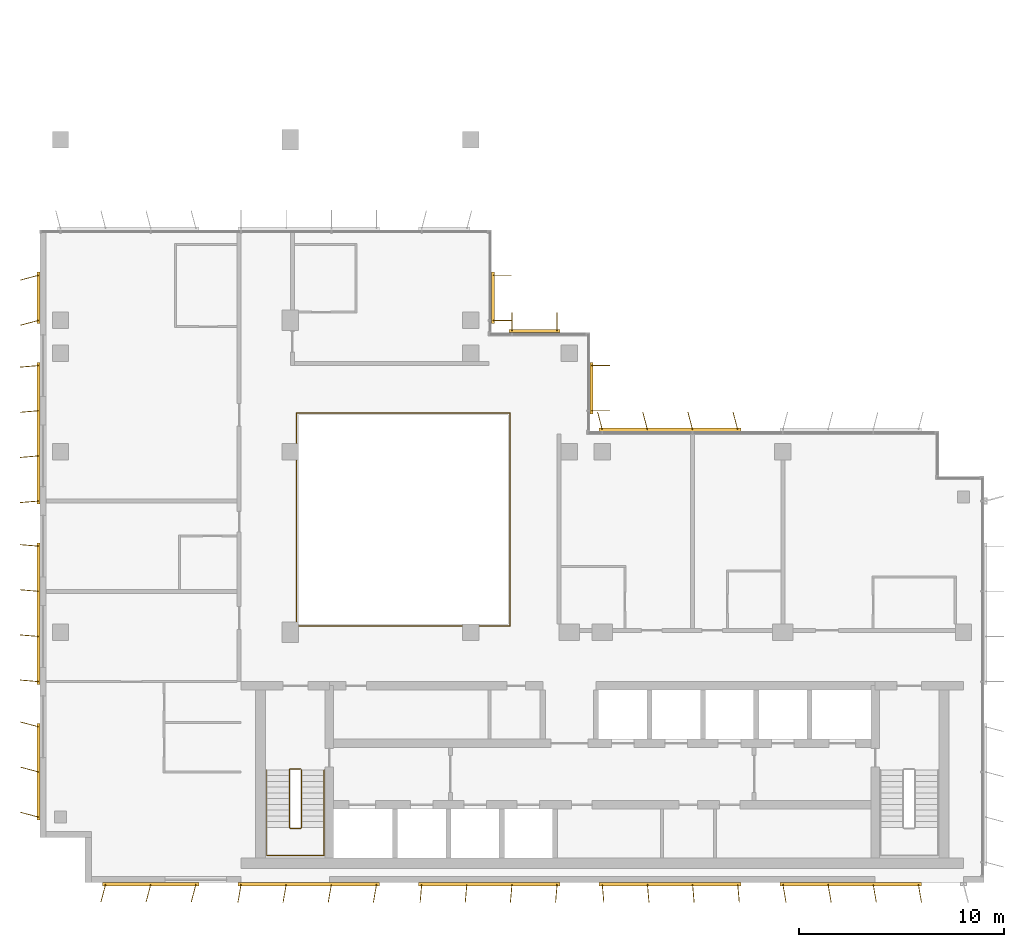
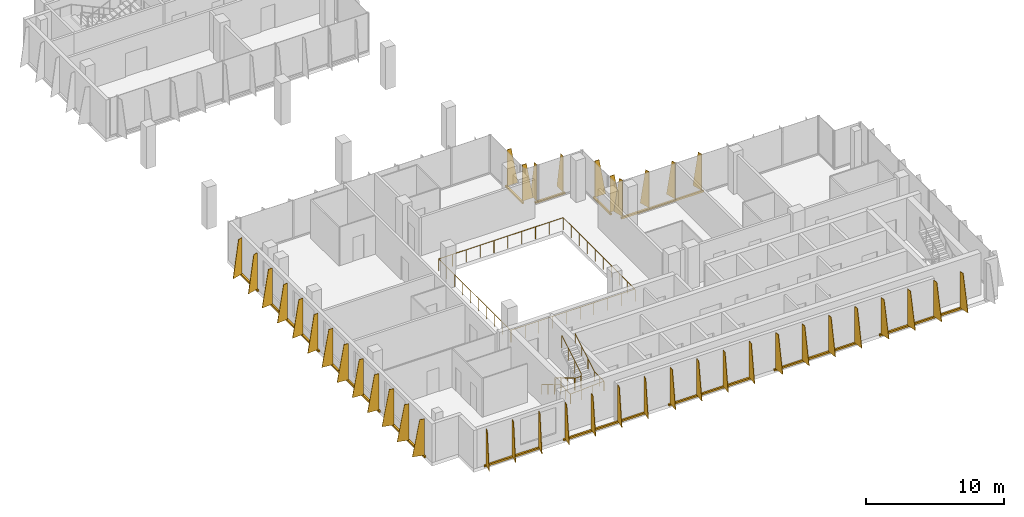
# One storey, part 13 of 14: 13 shading devices, 3 railings.
"""IFC4 building model written with IfcOpenShell, lengths in metres."""

from ifc_helpers import new_model, si_unit, direction, frame, origin, origin_2d, place, context, subcontext, project, spatial, polyline, rectangle, circle, outline, extrude, source, transform, mapped, material, layer, layer_set, type_object, element, save


model = new_model("IFC4")

# Units and contexts
model_context = context("Model", 3, precision=1e-05, world=origin(), true_north=direction((0.0, 1.0)))
body_context = subcontext(model_context, "Body", "Model", "MODEL_VIEW")
ifc_project = project(units=[si_unit("LENGTHUNIT", "METRE"), si_unit("AREAUNIT", "SQUARE_METRE"), si_unit("VOLUMEUNIT", "CUBIC_METRE"), si_unit("PLANEANGLEUNIT", "RADIAN"), si_unit("MASSUNIT", "GRAM", prefix="KILO")], contexts=[model_context])

# Site, building, storey
site_placement = place(None, origin())
site = spatial("IfcSite", under=ifc_project, at=site_placement, CompositionType="ELEMENT")
building_placement = place(site_placement, origin())
building = spatial("IfcBuilding", under=site, at=building_placement, Name="Kemantara Hotel Tower", CompositionType="ELEMENT")
storey_placement = place(building_placement, frame((0.0, 0.0, 245.0)))
storey = spatial("IfcBuildingStorey", under=building, at=storey_placement, Name="L61", CompositionType="ELEMENT", Elevation=245.0)

# Railings
ifc_material_1 = material(Name="Stainless steel and laminated glass balustrade", Category="steel")
railing_type_1 = type_object("IfcRailingType", Name="ATRIUM GUARD 1100", PredefinedType="GUARDRAIL", material=ifc_material_1)
railing_1_placement = place(storey_placement, frame((12.56005859375, 12.5, 0.0)))
element("IfcRailing", 1, at=railing_1_placement, inside=storey, type_object=railing_type_1, Name="ATRIUM GUARD L61", PredefinedType="GUARDRAIL", context=body_context, shape_type="SweptSolid", body=[
    extrude(circle(Radius=0.02490234375, at=origin_2d()), frame((0.0, 0.0, 1.0751953125), z_axis=(1.0, 0.0, 0.0), x_axis=(0.0, 1.0, 0.0)), (0.0, 0.0, 1.0), 10.33984375),
    extrude(circle(Radius=0.02490234375, at=origin_2d()), frame((10.33984375, 0.0, 1.0751953125), z_axis=(0.0, 1.0, 0.0), x_axis=(-1.0, 0.0, 0.0)), (0.0, 0.0, 1.0), 10.39990234375),
    extrude(circle(Radius=0.02490234375, at=origin_2d()), frame((10.33984375, 10.39990234375, 1.0751953125), z_axis=(-1.0, 0.0, 0.0), x_axis=(0.0, -1.0, 0.0)), (0.0, 0.0, 1.0), 10.39990234375),
    extrude(circle(Radius=0.02490234375, at=origin_2d()), frame((-0.06005859375, 10.39990234375, 1.0751953125), z_axis=(0.0, -1.0, 0.0), x_axis=(1.0, 0.0, 0.0)), (0.0, 0.0, 1.0), 10.39990234375),
    extrude(circle(Radius=0.02001953125, at=origin_2d()), origin(), (0.0, 0.0, 1.0), 1.050048828125),
    extrude(circle(Radius=0.02001953125, at=origin_2d()), frame((1.14892578125, 0.0, 0.0)), (0.0, 0.0, 1.0), 1.050048828125),
    extrude(circle(Radius=0.02001953125, at=origin_2d()), frame((2.2978515625, 0.0, 0.0)), (0.0, 0.0, 1.0), 1.050048828125),
    extrude(circle(Radius=0.02001953125, at=origin_2d()), frame((3.446533203125, 0.0, 0.0)), (0.0, 0.0, 1.0), 1.050048828125),
    extrude(circle(Radius=0.02001953125, at=origin_2d()), frame((4.595458984375, 0.0, 0.0)), (0.0, 0.0, 1.0), 1.050048828125),
    extrude(circle(Radius=0.02001953125, at=origin_2d()), frame((5.744384765625, 0.0, 0.0)), (0.0, 0.0, 1.0), 1.050048828125),
    extrude(circle(Radius=0.02001953125, at=origin_2d()), frame((6.893310546875, 0.0, 0.0)), (0.0, 0.0, 1.0), 1.050048828125),
    extrude(circle(Radius=0.02001953125, at=origin_2d()), frame((8.0419921875, 0.0, 0.0)), (0.0, 0.0, 1.0), 1.050048828125),
    extrude(circle(Radius=0.02001953125, at=origin_2d()), frame((9.19091796875, 0.0, 0.0)), (0.0, 0.0, 1.0), 1.050048828125),
    extrude(circle(Radius=0.02001953125, at=origin_2d()), frame((10.33984375, 0.0, 0.0)), (0.0, 0.0, 1.0), 1.050048828125),
    extrude(circle(Radius=0.02001953125, at=origin_2d()), frame((10.33984375, 1.155517578125, 0.0)), (0.0, 0.0, 1.0), 1.050048828125),
    extrude(circle(Radius=0.02001953125, at=origin_2d()), frame((10.33984375, 2.31103515625, 0.0)), (0.0, 0.0, 1.0), 1.050048828125),
    extrude(circle(Radius=0.02001953125, at=origin_2d()), frame((10.33984375, 3.466552734375, 0.0)), (0.0, 0.0, 1.0), 1.050048828125),
    extrude(circle(Radius=0.02001953125, at=origin_2d()), frame((10.33984375, 4.6220703125, 0.0)), (0.0, 0.0, 1.0), 1.050048828125),
    extrude(circle(Radius=0.02001953125, at=origin_2d()), frame((10.33984375, 5.77783203125, 0.0)), (0.0, 0.0, 1.0), 1.050048828125),
    extrude(circle(Radius=0.02001953125, at=origin_2d()), frame((10.33984375, 6.933349609375, 0.0)), (0.0, 0.0, 1.0), 1.050048828125),
    extrude(circle(Radius=0.02001953125, at=origin_2d()), frame((10.33984375, 8.0888671875, 0.0)), (0.0, 0.0, 1.0), 1.050048828125),
    extrude(circle(Radius=0.02001953125, at=origin_2d()), frame((10.33984375, 9.244384765625, 0.0)), (0.0, 0.0, 1.0), 1.050048828125),
    extrude(circle(Radius=0.02001953125, at=origin_2d()), frame((10.33984375, 10.39990234375, 0.0)), (0.0, 0.0, 1.0), 1.050048828125),
    extrude(circle(Radius=0.02001953125, at=origin_2d()), frame((9.184326171875, 10.39990234375, 0.0)), (0.0, 0.0, 1.0), 1.050048828125),
    extrude(circle(Radius=0.02001953125, at=origin_2d()), frame((8.02880859375, 10.39990234375, 0.0)), (0.0, 0.0, 1.0), 1.050048828125),
    extrude(circle(Radius=0.02001953125, at=origin_2d()), frame((6.873291015625, 10.39990234375, 0.0)), (0.0, 0.0, 1.0), 1.050048828125),
    extrude(circle(Radius=0.02001953125, at=origin_2d()), frame((5.7177734375, 10.39990234375, 0.0)), (0.0, 0.0, 1.0), 1.050048828125),
    extrude(circle(Radius=0.02001953125, at=origin_2d()), frame((4.56201171875, 10.39990234375, 0.0)), (0.0, 0.0, 1.0), 1.050048828125),
    extrude(circle(Radius=0.02001953125, at=origin_2d()), frame((3.406494140625, 10.39990234375, 0.0)), (0.0, 0.0, 1.0), 1.050048828125),
    extrude(circle(Radius=0.02001953125, at=origin_2d()), frame((2.2509765625, 10.39990234375, 0.0)), (0.0, 0.0, 1.0), 1.050048828125),
    extrude(circle(Radius=0.02001953125, at=origin_2d()), frame((1.095458984375, 10.39990234375, 0.0)), (0.0, 0.0, 1.0), 1.050048828125),
    extrude(circle(Radius=0.02001953125, at=origin_2d()), frame((-0.06005859375, 10.39990234375, 0.0)), (0.0, 0.0, 1.0), 1.050048828125),
    extrude(circle(Radius=0.02001953125, at=origin_2d()), frame((-0.06005859375, 9.244384765625, 0.0)), (0.0, 0.0, 1.0), 1.050048828125),
    extrude(circle(Radius=0.02001953125, at=origin_2d()), frame((-0.06005859375, 8.0888671875, 0.0)), (0.0, 0.0, 1.0), 1.050048828125),
    extrude(circle(Radius=0.02001953125, at=origin_2d()), frame((-0.06005859375, 6.933349609375, 0.0)), (0.0, 0.0, 1.0), 1.050048828125),
    extrude(circle(Radius=0.02001953125, at=origin_2d()), frame((-0.06005859375, 5.77783203125, 0.0)), (0.0, 0.0, 1.0), 1.050048828125),
    extrude(circle(Radius=0.02001953125, at=origin_2d()), frame((-0.06005859375, 4.6220703125, 0.0)), (0.0, 0.0, 1.0), 1.050048828125),
    extrude(circle(Radius=0.02001953125, at=origin_2d()), frame((-0.06005859375, 3.466552734375, 0.0)), (0.0, 0.0, 1.0), 1.050048828125),
    extrude(circle(Radius=0.02001953125, at=origin_2d()), frame((-0.06005859375, 2.31103515625, 0.0)), (0.0, 0.0, 1.0), 1.050048828125),
    extrude(circle(Radius=0.02001953125, at=origin_2d()), frame((-0.06005859375, 1.155517578125, 0.0)), (0.0, 0.0, 1.0), 1.050048828125),
    extrude(circle(Radius=0.02001953125, at=origin_2d()), frame((-0.06005859375, 0.0, 0.0)), (0.0, 0.0, 1.0), 1.050048828125),
])
ifc_material_2 = material(Name="Stainless steel balustrade", Category="steel")
railing_type_2 = type_object("IfcRailingType", Name="Stair guard 1100 mm", PredefinedType="GUARDRAIL", material=ifc_material_2)
railing_2_placement = place(storey_placement, frame((12.75, 5.5, 3.699951171875)))
element("IfcRailing", 2, at=railing_2_placement, inside=storey, type_object=railing_type_2, Name="L61 ST1 stair guard 1", PredefinedType="GUARDRAIL", context=body_context, shape_type="SweptSolid", body=[
    extrude(circle(Radius=0.02392578125, at=origin_2d()), frame((0.0, 0.0, 1.076171875), z_axis=(0.0, -0.857242210791, -0.514913383045), x_axis=(1.0, 0.0, 0.0)), (0.0, 0.0, 1.0), 3.266357421875),
    extrude(circle(Radius=0.02392578125, at=origin_2d()), frame((0.0, -2.800048828125, -0.60595703125), z_axis=(-0.274582412415, -0.274582412415, -0.921525364591), x_axis=(0.707106781187, -0.707106781187, 0.0)), (0.0, 0.0, 1.0), 0.182373046875),
    extrude(circle(Radius=0.02392578125, at=origin_2d()), frame((-0.050048828125, -2.85009765625, -0.77392578125), z_axis=(-1.0, 0.0, 0.0), x_axis=(0.0, -1.0, 0.0)), (0.0, 0.0, 1.0), 0.5),
    extrude(circle(Radius=0.02392578125, at=origin_2d()), frame((-0.550048828125, -2.85009765625, -0.77392578125), z_axis=(-0.707106781187, 0.707106781187, 0.0), x_axis=(-0.707106781187, -0.707106781187, 0.0)), (0.0, 0.0, 1.0), 0.07080078125),
    extrude(circle(Radius=0.02392578125, at=origin_2d()), frame((-0.60009765625, -2.800048828125, -0.77392578125), z_axis=(0.0, 0.857242210791, -0.514913383045), x_axis=(-1.0, 0.0, 0.0)), (0.0, 0.0, 1.0), 3.266357421875),
    extrude(circle(Radius=0.02392578125, at=origin_2d()), frame((-0.60009765625, 0.0, -2.45556640625), z_axis=(0.274243871929, 0.274243871929, -0.92172696468), x_axis=(-0.707106781187, 0.707106781187, 0.0)), (0.0, 0.0, 1.0), 0.1826171875),
    extrude(circle(Radius=0.02392578125, at=origin_2d()), frame((-0.550048828125, 0.050048828125, -2.6240234375), z_axis=(1.0, 0.0, 0.0), x_axis=(0.0, 1.0, 0.0)), (0.0, 0.0, 1.0), 0.5),
    extrude(circle(Radius=0.02099609375, at=origin_2d()), origin(), (0.0, 0.0, 1.0), 1.052001953125),
    extrude(circle(Radius=0.02099609375, at=origin_2d()), frame((0.0, -0.933349609375, -0.560546875)), (0.0, 0.0, 1.0), 1.052001953125),
    extrude(circle(Radius=0.02099609375, at=origin_2d()), frame((0.0, -1.86669921875, -1.121337890625)), (0.0, 0.0, 1.0), 1.052001953125),
    extrude(circle(Radius=0.02099609375, at=origin_2d()), frame((0.0, -2.800048828125, -1.681884765625)), (0.0, 0.0, 1.0), 1.052001953125),
    extrude(circle(Radius=0.02099609375, at=origin_2d()), frame((-0.050048828125, -2.85009765625, -1.849853515625)), (0.0, 0.0, 1.0), 1.052001953125),
    extrude(circle(Radius=0.02099609375, at=origin_2d()), frame((-0.550048828125, -2.85009765625, -1.849853515625)), (0.0, 0.0, 1.0), 1.052001953125),
    extrude(circle(Radius=0.02099609375, at=origin_2d()), frame((-0.60009765625, -2.800048828125, -1.849853515625)), (0.0, 0.0, 1.0), 1.052001953125),
    extrude(circle(Radius=0.02099609375, at=origin_2d()), frame((-0.60009765625, -1.86669921875, -2.410400390625)), (0.0, 0.0, 1.0), 1.052001953125),
    extrude(circle(Radius=0.02099609375, at=origin_2d()), frame((-0.60009765625, -0.933349609375, -2.97119140625)), (0.0, 0.0, 1.0), 1.052001953125),
    extrude(circle(Radius=0.02099609375, at=origin_2d()), frame((-0.60009765625, 0.0, -3.53173828125)), (0.0, 0.0, 1.0), 1.052001953125),
    extrude(circle(Radius=0.02099609375, at=origin_2d()), frame((-0.550048828125, 0.050048828125, -3.699951171875)), (0.0, 0.0, 1.0), 1.052001953125),
    extrude(circle(Radius=0.02099609375, at=origin_2d()), frame((-0.050048828125, 0.050048828125, -3.699951171875)), (0.0, 0.0, 1.0), 1.052001953125),
])
railing_type_3 = type_object("IfcRailingType", Name="Stair handrail 900 mm", PredefinedType="HANDRAIL", material=ifc_material_2)
railing_3_placement = place(storey_placement, frame((11.050048828125, 5.5, 0.168212890625)))
element("IfcRailing", 3, at=railing_3_placement, inside=storey, type_object=railing_type_3, Name="L61 ST1 stair handrail 1", PredefinedType="HANDRAIL", context=body_context, shape_type="SweptSolid", body=[
    extrude(circle(Radius=0.02392578125, at=origin_2d()), frame((0.0, 0.0, 0.8759765625), z_axis=(0.0, -0.857242210791, 0.514913383045), x_axis=(1.0, 0.0, 0.0)), (0.0, 0.0, 1.0), 3.266357421875),
    extrude(circle(Radius=0.02392578125, at=origin_2d()), frame((0.0, -2.800048828125, 2.5576171875), z_axis=(0.0, -1.0, 0.0), x_axis=(1.0, 0.0, 0.0)), (0.0, 0.0, 1.0), 1.3798828125),
    extrude(circle(Radius=0.02392578125, at=origin_2d()), frame((0.0, -4.179931640625, 2.5576171875), z_axis=(0.998205573864, 0.0, 0.059880149518), x_axis=(0.0, 1.0, 0.0)), (0.0, 0.0, 1.0), 2.80517578125),
    extrude(circle(Radius=0.02392578125, at=origin_2d()), frame((2.800048828125, -4.179931640625, 2.7255859375), z_axis=(0.0, 1.0, 0.0), x_axis=(-1.0, 0.0, 0.0)), (0.0, 0.0, 1.0), 1.3798828125),
    extrude(circle(Radius=0.02392578125, at=origin_2d()), frame((2.800048828125, -2.800048828125, 2.7255859375), z_axis=(0.0, 0.857242210791, 0.514913383045), x_axis=(-1.0, 0.0, 0.0)), (0.0, 0.0, 1.0), 3.266357421875),
    extrude(circle(Radius=0.02099609375, at=origin_2d()), origin(), (0.0, 0.0, 1.0), 0.851806640625),
    extrude(circle(Radius=0.02099609375, at=origin_2d()), frame((0.0, -0.933349609375, 0.560546875)), (0.0, 0.0, 1.0), 0.851806640625),
    extrude(circle(Radius=0.02099609375, at=origin_2d()), frame((0.0, -1.86669921875, 1.121337890625)), (0.0, 0.0, 1.0), 0.851806640625),
    extrude(circle(Radius=0.02099609375, at=origin_2d()), frame((0.0, -2.800048828125, 1.681884765625)), (0.0, 0.0, 1.0), 0.851806640625),
    extrude(circle(Radius=0.02099609375, at=origin_2d()), frame((0.0, -3.489990234375, 1.681884765625)), (0.0, 0.0, 1.0), 0.851806640625),
    extrude(circle(Radius=0.02099609375, at=origin_2d()), frame((0.0, -4.179931640625, 1.681884765625)), (0.0, 0.0, 1.0), 0.851806640625),
    extrude(circle(Radius=0.02099609375, at=origin_2d()), frame((0.933349609375, -4.179931640625, 1.73779296875)), (0.0, 0.0, 1.0), 0.851806640625),
    extrude(circle(Radius=0.02099609375, at=origin_2d()), frame((1.86669921875, -4.179931640625, 1.7939453125)), (0.0, 0.0, 1.0), 0.851806640625),
    extrude(circle(Radius=0.02099609375, at=origin_2d()), frame((2.800048828125, -4.179931640625, 1.849853515625)), (0.0, 0.0, 1.0), 0.851806640625),
    extrude(circle(Radius=0.02099609375, at=origin_2d()), frame((2.800048828125, -3.489990234375, 1.849853515625)), (0.0, 0.0, 1.0), 0.851806640625),
    extrude(circle(Radius=0.02099609375, at=origin_2d()), frame((2.800048828125, -2.800048828125, 1.849853515625)), (0.0, 0.0, 1.0), 0.851806640625),
    extrude(circle(Radius=0.02099609375, at=origin_2d()), frame((2.800048828125, -1.86669921875, 2.410400390625)), (0.0, 0.0, 1.0), 0.851806640625),
    extrude(circle(Radius=0.02099609375, at=origin_2d()), frame((2.800048828125, -0.933349609375, 2.97119140625)), (0.0, 0.0, 1.0), 0.851806640625),
    extrude(circle(Radius=0.02099609375, at=origin_2d()), frame((2.800048828125, 0.0, 3.53173828125)), (0.0, 0.0, 1.0), 0.851806640625),
])

# Shading devices
ifc_material_3 = material(Name="Perforated aluminium plate 4 mm bronze anodised", Category="aluminium")
ifc_layer_1 = layer(ifc_material_3, 0.0400390625)
ifc_layer_set_1 = layer_set([ifc_layer_1], Name="Perforated aluminium plate 4 mm bronze anodised")
shading_device_type_1 = type_object("IfcShadingDeviceType", Name="SCREEN FIN CASSETTE, 3 BLADES AT -15.0 DEG, 3200 HIGH", PredefinedType="USERDEFINED", material=ifc_layer_set_1)
shared_shape_1 = source(origin(), body_context, "Body", "SweptSolid", [
    extrude(rectangle(XDim=4.699951171875, YDim=0.14990234375, at=origin_2d()), frame((2.199951171875, -0.074951171875, -0.14990234375), z_axis=(0.0, 0.0, 1.0), x_axis=(1.0, 0.0, 0.0)), (0.0, 0.0, 1.0), 0.14990234375),
    extrude(outline(polyline([(0.0, 0.0), (0.89990234375, 0.0), (0.35009765625, 3.199951171875), (0.0, 3.199951171875), (0.0, 0.0)])), frame((0.019287109375, -0.080078125, 0.0), z_axis=(-0.966437683387, 0.256901156343, 0.0), x_axis=(-0.256901156343, -0.966437683387, 0.0)), (0.0, 0.0, 1.0), 0.039794921875),
    extrude(outline(polyline([(0.0, 0.0), (0.89990234375, 0.0), (0.35009765625, 3.199951171875), (0.0, 3.199951171875), (0.0, 0.0)])), frame((2.21923828125, -0.080078125, 0.0), z_axis=(-0.966437683387, 0.256901156343, 0.0), x_axis=(-0.256901156343, -0.966437683387, 0.0)), (0.0, 0.0, 1.0), 0.039794921875),
    extrude(outline(polyline([(0.0, 0.0), (0.89990234375, 0.0), (0.35009765625, 3.199951171875), (0.0, 3.199951171875), (0.0, 0.0)])), frame((4.41943359375, -0.080078125, 0.0), z_axis=(-0.966837822169, 0.255391122837, 0.0), x_axis=(-0.255391122837, -0.966837822169, 0.0)), (0.0, 0.0, 1.0), 0.0400390625),
])
for number, where, z_axis, x_axis, name in (
    (4, (0.0, 7.60009765625, 0.10009765625), (0.0, 0.0, 1.0), (0.0, -1.0, 0.0), "SCREEN FIN CASSETTE L61 T4P-R02-4"),
    (5, (3.199951171875, 0.0, 0.10009765625), (0.0, 0.0, 1.0), (1.0, 0.0, 0.0), "SCREEN FIN CASSETTE L61 T4P-R05-1"),
):
    element("IfcShadingDevice", number, at=place(storey_placement, frame(where, z_axis=z_axis, x_axis=x_axis)), inside=storey, type_object=shading_device_type_1, Name=name, ObjectType="SCREEN FIN", PredefinedType="USERDEFINED", context=body_context, shape_type="MappedRepresentation", body=[
        mapped(shared_shape_1, transform((0.0, 0.0, 0.0))),
    ])
ifc_layer_2 = layer(ifc_material_3, 0.0400390625)
ifc_layer_set_2 = layer_set([ifc_layer_2], Name="Perforated aluminium plate 4 mm bronze anodised")
shading_device_type_2 = type_object("IfcShadingDeviceType", Name="SCREEN FIN CASSETTE, 4 BLADES AT -10.0 DEG, 3200 HIGH", PredefinedType="USERDEFINED", material=ifc_layer_set_2)
shared_shape_2 = source(origin(), body_context, "Body", "SweptSolid", [
    extrude(rectangle(XDim=6.89990234375, YDim=0.14990234375, at=origin_2d()), frame((3.300048828125, -0.074951171875, -0.14990234375), z_axis=(0.0, 0.0, 1.0), x_axis=(1.0, 0.0, 0.0)), (0.0, 0.0, 1.0), 0.14990234375),
    extrude(outline(polyline([(0.0, 0.0), (0.89990234375, 0.0), (0.35009765625, 3.199951171875), (0.0, 3.199951171875), (0.0, 0.0)])), frame((0.019775390625, -0.078369140625, 0.0), z_axis=(-0.985389793052, 0.170314285219, 0.0), x_axis=(-0.170314285219, -0.985389793052, 0.0)), (0.0, 0.0, 1.0), 0.0400390625),
    extrude(outline(polyline([(0.0, 0.0), (0.89990234375, 0.0), (0.35009765625, 3.199951171875), (0.0, 3.199951171875), (0.0, 0.0)])), frame((2.2197265625, -0.078369140625, 0.0), z_axis=(-0.98521175482, 0.171341174751, 0.0), x_axis=(-0.171341174751, -0.98521175482, 0.0)), (0.0, 0.0, 1.0), 0.039794921875),
    extrude(outline(polyline([(0.0, 0.0), (0.89990234375, 0.0), (0.35009765625, 3.199951171875), (0.0, 3.199951171875), (0.0, 0.0)])), frame((4.419677734375, -0.078369140625, 0.0), z_axis=(-0.98521175482, 0.171341174751, 0.0), x_axis=(-0.171341174751, -0.98521175482, 0.0)), (0.0, 0.0, 1.0), 0.039794921875),
    extrude(outline(polyline([(0.0, 0.0), (0.89990234375, 0.0), (0.35009765625, 3.199951171875), (0.0, 3.199951171875), (0.0, 0.0)])), frame((6.61962890625, -0.078369140625, 0.0), z_axis=(-0.98521175482, 0.171341174751, 0.0), x_axis=(-0.171341174751, -0.98521175482, 0.0)), (0.0, 0.0, 1.0), 0.039794921875),
])
shading_device_1_placement = place(storey_placement, frame((9.800048828125, 0.0, 0.10009765625), z_axis=(0.0, 0.0, 1.0), x_axis=(1.0, 0.0, 0.0)))
element("IfcShadingDevice", 6, at=shading_device_1_placement, inside=storey, type_object=shading_device_type_2, Name="SCREEN FIN CASSETTE L61 T4P-R05-2", ObjectType="SCREEN FIN", PredefinedType="USERDEFINED", context=body_context, shape_type="MappedRepresentation", body=[
    mapped(shared_shape_2, transform((0.0, 0.0, 0.0))),
])
ifc_layer_3 = layer(ifc_material_3, 0.0400390625)
ifc_layer_set_3 = layer_set([ifc_layer_3], Name="Perforated aluminium plate 4 mm bronze anodised")
shading_device_type_3 = type_object("IfcShadingDeviceType", Name="SCREEN FIN CASSETTE, 4 BLADES AT -5.0 DEG, 3200 HIGH", PredefinedType="USERDEFINED", material=ifc_layer_set_3)
shared_shape_3 = source(origin(), body_context, "Body", "SweptSolid", [
    extrude(rectangle(XDim=6.89990234375, YDim=0.14990234375, at=origin_2d()), frame((3.300048828125, -0.074951171875, -0.14990234375), z_axis=(0.0, 0.0, 1.0), x_axis=(1.0, 0.0, 0.0)), (0.0, 0.0, 1.0), 0.14990234375),
    extrude(outline(polyline([(0.0, 0.0), (0.89990234375, 0.0), (0.35009765625, 3.199951171875), (0.0, 3.199951171875), (0.0, 0.0)])), frame((0.02001953125, -0.07666015625, 0.0), z_axis=(-0.996376129781, 0.085056498884, 0.0), x_axis=(-0.085056498884, -0.996376129781, 0.0)), (0.0, 0.0, 1.0), 0.040283203125),
    extrude(outline(polyline([(0.0, 0.0), (0.89990234375, 0.0), (0.35009765625, 3.199951171875), (0.0, 3.199951171875), (0.0, 0.0)])), frame((2.219970703125, -0.07666015625, 0.0), z_axis=(-0.996331773833, 0.085574508182, 0.0), x_axis=(-0.085574508182, -0.996331773833, 0.0)), (0.0, 0.0, 1.0), 0.0400390625),
    extrude(outline(polyline([(0.0, 0.0), (0.89990234375, 0.0), (0.35009765625, 3.199951171875), (0.0, 3.199951171875), (0.0, 0.0)])), frame((4.419921875, -0.07666015625, 0.0), z_axis=(-0.996331773833, 0.085574508182, 0.0), x_axis=(-0.085574508182, -0.996331773833, 0.0)), (0.0, 0.0, 1.0), 0.0400390625),
    extrude(outline(polyline([(0.0, 0.0), (0.89990234375, 0.0), (0.35009765625, 3.199951171875), (0.0, 3.199951171875), (0.0, 0.0)])), frame((6.619873046875, -0.07666015625, 0.0), z_axis=(-0.996331773833, 0.085574508182, 0.0), x_axis=(-0.085574508182, -0.996331773833, 0.0)), (0.0, 0.0, 1.0), 0.0400390625),
])
for number, where, z_axis, x_axis, name in (
    (7, (0.0, 16.39990234375, 0.10009765625), (0.0, 0.0, 1.0), (0.0, -1.0, 0.0), "SCREEN FIN CASSETTE L61 T4P-R02-3"),
    (8, (18.60009765625, 0.0, 0.10009765625), (0.0, 0.0, 1.0), (1.0, 0.0, 0.0), "SCREEN FIN CASSETTE L61 T4P-R05-3"),
):
    element("IfcShadingDevice", number, at=place(storey_placement, frame(where, z_axis=z_axis, x_axis=x_axis)), inside=storey, type_object=shading_device_type_3, Name=name, ObjectType="SCREEN FIN", PredefinedType="USERDEFINED", context=body_context, shape_type="MappedRepresentation", body=[
        mapped(shared_shape_3, transform((0.0, 0.0, 0.0))),
    ])
ifc_layer_4 = layer(ifc_material_3, 0.0400390625)
ifc_layer_set_4 = layer_set([ifc_layer_4], Name="Perforated aluminium plate 4 mm bronze anodised")
shading_device_type_4 = type_object("IfcShadingDeviceType", Name="SCREEN FIN CASSETTE, 4 BLADES AT +5.0 DEG, 3200 HIGH", PredefinedType="USERDEFINED", material=ifc_layer_set_4)
shared_shape_4 = source(origin(), body_context, "Body", "SweptSolid", [
    extrude(rectangle(XDim=6.89990234375, YDim=0.14990234375, at=origin_2d()), frame((3.300048828125, -0.074951171875, -0.14990234375), z_axis=(0.0, 0.0, 1.0), x_axis=(1.0, 0.0, 0.0)), (0.0, 0.0, 1.0), 0.14990234375),
    extrude(outline(polyline([(0.0, 0.0), (0.89990234375, 0.0), (0.35009765625, 3.199951171875), (0.0, 3.199951171875), (0.0, 0.0)])), frame((0.02001953125, -0.0732421875, 0.0), z_axis=(-0.996376129781, -0.085056498884, 0.0), x_axis=(0.085056498884, -0.996376129781, 0.0)), (0.0, 0.0, 1.0), 0.040283203125),
    extrude(outline(polyline([(0.0, 0.0), (0.89990234375, 0.0), (0.35009765625, 3.199951171875), (0.0, 3.199951171875), (0.0, 0.0)])), frame((2.219970703125, -0.0732421875, 0.0), z_axis=(-0.996331773833, -0.085574508182, 0.0), x_axis=(0.085574508182, -0.996331773833, 0.0)), (0.0, 0.0, 1.0), 0.0400390625),
    extrude(outline(polyline([(0.0, 0.0), (0.89990234375, 0.0), (0.35009765625, 3.199951171875), (0.0, 3.199951171875), (0.0, 0.0)])), frame((4.419921875, -0.0732421875, 0.0), z_axis=(-0.996331773833, -0.085574508182, 0.0), x_axis=(0.085574508182, -0.996331773833, 0.0)), (0.0, 0.0, 1.0), 0.0400390625),
    extrude(outline(polyline([(0.0, 0.0), (0.89990234375, 0.0), (0.35009765625, 3.199951171875), (0.0, 3.199951171875), (0.0, 0.0)])), frame((6.619873046875, -0.0732421875, 0.0), z_axis=(-0.996331773833, -0.085574508182, 0.0), x_axis=(0.085574508182, -0.996331773833, 0.0)), (0.0, 0.0, 1.0), 0.0400390625),
])
for number, where, z_axis, x_axis, name in (
    (9, (0.0, 25.199951171875, 0.10009765625), (0.0, 0.0, 1.0), (0.0, -1.0, 0.0), "SCREEN FIN CASSETTE L61 T4P-R02-2"),
    (10, (27.39990234375, 0.0, 0.10009765625), (0.0, 0.0, 1.0), (1.0, 0.0, 0.0), "SCREEN FIN CASSETTE L61 T4P-R05-4"),
):
    element("IfcShadingDevice", number, at=place(storey_placement, frame(where, z_axis=z_axis, x_axis=x_axis)), inside=storey, type_object=shading_device_type_4, Name=name, ObjectType="SCREEN FIN", PredefinedType="USERDEFINED", context=body_context, shape_type="MappedRepresentation", body=[
        mapped(shared_shape_4, transform((0.0, 0.0, 0.0))),
    ])
ifc_layer_5 = layer(ifc_material_3, 0.0400390625)
ifc_layer_set_5 = layer_set([ifc_layer_5], Name="Perforated aluminium plate 4 mm bronze anodised")
shading_device_type_5 = type_object("IfcShadingDeviceType", Name="SCREEN FIN CASSETTE, 4 BLADES AT +10.0 DEG, 3200 HIGH", PredefinedType="USERDEFINED", material=ifc_layer_set_5)
shared_shape_5 = source(origin(), body_context, "Body", "SweptSolid", [
    extrude(rectangle(XDim=6.89990234375, YDim=0.14990234375, at=origin_2d()), frame((3.300048828125, -0.074951171875, -0.14990234375), z_axis=(0.0, 0.0, 1.0), x_axis=(1.0, 0.0, 0.0)), (0.0, 0.0, 1.0), 0.14990234375),
    extrude(outline(polyline([(0.0, 0.0), (0.89990234375, 0.0), (0.35009765625, 3.199951171875), (0.0, 3.199951171875), (0.0, 0.0)])), frame((0.019775390625, -0.071533203125, 0.0), z_axis=(-0.985389793052, -0.170314285219, 0.0), x_axis=(0.170314285219, -0.985389793052, 0.0)), (0.0, 0.0, 1.0), 0.0400390625),
    extrude(outline(polyline([(0.0, 0.0), (0.89990234375, 0.0), (0.35009765625, 3.199951171875), (0.0, 3.199951171875), (0.0, 0.0)])), frame((2.2197265625, -0.071533203125, 0.0), z_axis=(-0.98521175482, -0.171341174751, 0.0), x_axis=(0.171341174751, -0.98521175482, 0.0)), (0.0, 0.0, 1.0), 0.039794921875),
    extrude(outline(polyline([(0.0, 0.0), (0.89990234375, 0.0), (0.35009765625, 3.199951171875), (0.0, 3.199951171875), (0.0, 0.0)])), frame((4.419677734375, -0.071533203125, 0.0), z_axis=(-0.98521175482, -0.171341174751, 0.0), x_axis=(0.171341174751, -0.98521175482, 0.0)), (0.0, 0.0, 1.0), 0.039794921875),
    extrude(outline(polyline([(0.0, 0.0), (0.89990234375, 0.0), (0.35009765625, 3.199951171875), (0.0, 3.199951171875), (0.0, 0.0)])), frame((6.61962890625, -0.071533203125, 0.0), z_axis=(-0.98521175482, -0.171341174751, 0.0), x_axis=(0.171341174751, -0.98521175482, 0.0)), (0.0, 0.0, 1.0), 0.039794921875),
])
shading_device_2_placement = place(storey_placement, frame((36.199951171875, 0.0, 0.10009765625), z_axis=(0.0, 0.0, 1.0), x_axis=(1.0, 0.0, 0.0)))
element("IfcShadingDevice", 11, at=shading_device_2_placement, inside=storey, type_object=shading_device_type_5, Name="SCREEN FIN CASSETTE L61 T4P-R05-5", ObjectType="SCREEN FIN", PredefinedType="USERDEFINED", context=body_context, shape_type="MappedRepresentation", body=[
    mapped(shared_shape_5, transform((0.0, 0.0, 0.0))),
])
ifc_layer_6 = layer(ifc_material_3, 0.0400390625)
ifc_layer_set_6 = layer_set([ifc_layer_6], Name="Perforated aluminium plate 4 mm bronze anodised")
shading_device_type_6 = type_object("IfcShadingDeviceType", Name="SCREEN FIN CASSETTE, 4 BLADES AT +15.0 DEG, 3200 HIGH", PredefinedType="USERDEFINED", material=ifc_layer_set_6)
shared_shape_6 = source(origin(), body_context, "Body", "SweptSolid", [
    extrude(rectangle(XDim=6.89990234375, YDim=0.14990234375, at=origin_2d()), frame((3.300048828125, -0.074951171875, -0.14990234375), z_axis=(0.0, 0.0, 1.0), x_axis=(1.0, 0.0, 0.0)), (0.0, 0.0, 1.0), 0.14990234375),
    extrude(outline(polyline([(0.0, 0.0), (0.89990234375, 0.0), (0.35009765625, 3.199951171875), (0.0, 3.199951171875), (0.0, 0.0)])), frame((0.019287109375, -0.06982421875, 0.0), z_axis=(-0.966437683387, -0.256901156343, 0.0), x_axis=(0.256901156343, -0.966437683387, 0.0)), (0.0, 0.0, 1.0), 0.039794921875),
    extrude(outline(polyline([(0.0, 0.0), (0.89990234375, 0.0), (0.35009765625, 3.199951171875), (0.0, 3.199951171875), (0.0, 0.0)])), frame((2.21923828125, -0.06982421875, 0.0), z_axis=(-0.966437683387, -0.256901156343, 0.0), x_axis=(0.256901156343, -0.966437683387, 0.0)), (0.0, 0.0, 1.0), 0.039794921875),
    extrude(outline(polyline([(0.0, 0.0), (0.89990234375, 0.0), (0.35009765625, 3.199951171875), (0.0, 3.199951171875), (0.0, 0.0)])), frame((4.41943359375, -0.06982421875, 0.0), z_axis=(-0.966837822169, -0.255391122837, 0.0), x_axis=(0.255391122837, -0.966837822169, 0.0)), (0.0, 0.0, 1.0), 0.0400390625),
    extrude(outline(polyline([(0.0, 0.0), (0.89990234375, 0.0), (0.35009765625, 3.199951171875), (0.0, 3.199951171875), (0.0, 0.0)])), frame((6.619384765625, -0.06982421875, 0.0), z_axis=(-0.966837822169, -0.255391122837, 0.0), x_axis=(0.255391122837, -0.966837822169, 0.0)), (0.0, 0.0, 1.0), 0.0400390625),
])
shading_device_3_placement = place(storey_placement, frame((34.0, 22.0, 0.10009765625), z_axis=(0.0, 0.0, 1.0), x_axis=(-1.0, 0.0, 0.0)))
element("IfcShadingDevice", 12, at=shading_device_3_placement, inside=storey, type_object=shading_device_type_6, Name="SCREEN FIN CASSETTE L61 T4P-R09-2", ObjectType="SCREEN FIN", PredefinedType="USERDEFINED", context=body_context, shape_type="MappedRepresentation", body=[
    mapped(shared_shape_6, transform((0.0, 0.0, 0.0))),
])
ifc_layer_7 = layer(ifc_material_3, 0.0400390625)
ifc_layer_set_7 = layer_set([ifc_layer_7], Name="Perforated aluminium plate 4 mm bronze anodised")
shading_device_type_7 = type_object("IfcShadingDeviceType", Name="SCREEN FIN CASSETTE, 2 BLADES AT +15.0 DEG, 3200 HIGH", PredefinedType="USERDEFINED", material=ifc_layer_set_7)
shared_shape_7 = source(origin(), body_context, "Body", "SweptSolid", [
    extrude(rectangle(XDim=2.5, YDim=0.14990234375, at=origin_2d()), frame((1.10009765625, -0.074951171875, -0.14990234375), z_axis=(0.0, 0.0, 1.0), x_axis=(1.0, 0.0, 0.0)), (0.0, 0.0, 1.0), 0.14990234375),
    extrude(outline(polyline([(0.0, 0.0), (0.89990234375, 0.0), (0.35009765625, 3.199951171875), (0.0, 3.199951171875), (0.0, 0.0)])), frame((0.019287109375, -0.06982421875, 0.0), z_axis=(-0.966437683387, -0.256901156343, 0.0), x_axis=(0.256901156343, -0.966437683387, 0.0)), (0.0, 0.0, 1.0), 0.039794921875),
    extrude(outline(polyline([(0.0, 0.0), (0.89990234375, 0.0), (0.35009765625, 3.199951171875), (0.0, 3.199951171875), (0.0, 0.0)])), frame((2.21923828125, -0.06982421875, 0.0), z_axis=(-0.966437683387, -0.256901156343, 0.0), x_axis=(0.256901156343, -0.966437683387, 0.0)), (0.0, 0.0, 1.0), 0.039794921875),
])
shading_device_4_placement = place(storey_placement, frame((0.0, 29.60009765625, 0.10009765625), z_axis=(0.0, 0.0, 1.0), x_axis=(0.0, -1.0, 0.0)))
element("IfcShadingDevice", 13, at=shading_device_4_placement, inside=storey, type_object=shading_device_type_7, Name="SCREEN FIN CASSETTE L61 T4P-R02-1", ObjectType="SCREEN FIN", PredefinedType="USERDEFINED", context=body_context, shape_type="MappedRepresentation", body=[
    mapped(shared_shape_7, transform((0.0, 0.0, 0.0))),
])
ifc_layer_8 = layer(ifc_material_3, 0.0400390625)
ifc_layer_set_8 = layer_set([ifc_layer_8], Name="Perforated aluminium plate 4 mm bronze anodised")
shading_device_type_8 = type_object("IfcShadingDeviceType", Name="SCREEN FIN CASSETTE, 2 BLADES AT +0.0 DEG, 3200 HIGH", PredefinedType="USERDEFINED", material=ifc_layer_set_8)
shared_shape_8 = source(origin(), body_context, "Body", "SweptSolid", [
    extrude(rectangle(XDim=2.5, YDim=0.14990234375, at=origin_2d()), frame((1.10009765625, -0.074951171875, -0.14990234375), z_axis=(0.0, 0.0, 1.0), x_axis=(1.0, 0.0, 0.0)), (0.0, 0.0, 1.0), 0.14990234375),
    extrude(outline(polyline([(0.0, 0.0), (0.89990234375, 0.0), (0.35009765625, 3.199951171875), (0.0, 3.199951171875), (0.0, 0.0)])), frame((0.02001953125, -0.074951171875, 0.0), z_axis=(-1.0, 0.0, 0.0), x_axis=(0.0, -1.0, 0.0)), (0.0, 0.0, 1.0), 0.0400390625),
    extrude(outline(polyline([(0.0, 0.0), (0.89990234375, 0.0), (0.35009765625, 3.199951171875), (0.0, 3.199951171875), (0.0, 0.0)])), frame((2.219970703125, -0.074951171875, 0.0), z_axis=(-1.0, 0.0, 0.0), x_axis=(0.0, -1.0, 0.0)), (0.0, 0.0, 1.0), 0.0400390625),
])
for number, where, z_axis, x_axis, name in (
    (14, (22.0, 27.39990234375, 0.10009765625), (0.0, 0.0, 1.0), (0.0, 1.0, 0.0), "SCREEN FIN CASSETTE L61 T4P-R00-1"),
    (15, (26.800048828125, 23.0, 0.10009765625), (0.0, 0.0, 1.0), (0.0, 1.0, 0.0), "SCREEN FIN CASSETTE L61 T4P-R10-1"),
    (16, (25.199951171875, 26.800048828125, 0.10009765625), (0.0, 0.0, 1.0), (-1.0, 0.0, 0.0), "SCREEN FIN CASSETTE L61 T4P-R11-1"),
):
    element("IfcShadingDevice", number, at=place(storey_placement, frame(where, z_axis=z_axis, x_axis=x_axis)), inside=storey, type_object=shading_device_type_8, Name=name, ObjectType="SCREEN FIN", PredefinedType="USERDEFINED", context=body_context, shape_type="MappedRepresentation", body=[
        mapped(shared_shape_8, transform((0.0, 0.0, 0.0))),
    ])

save(model, "model.ifc")
